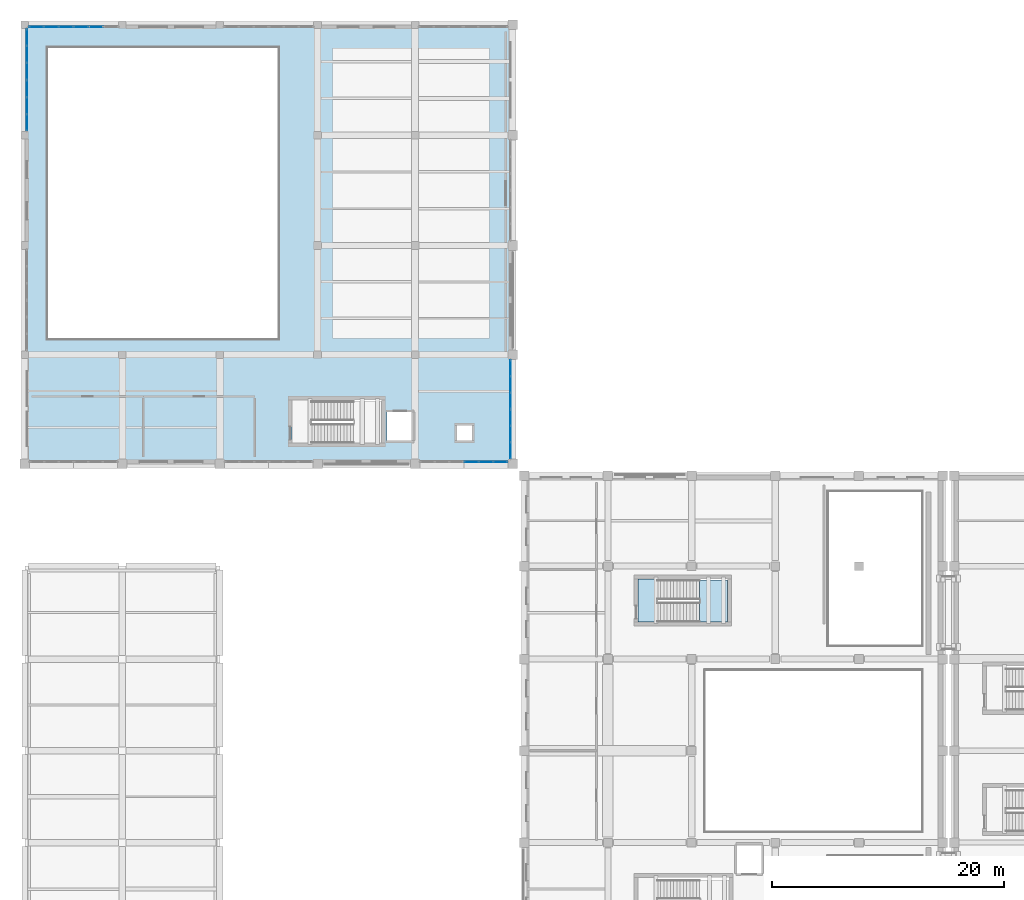
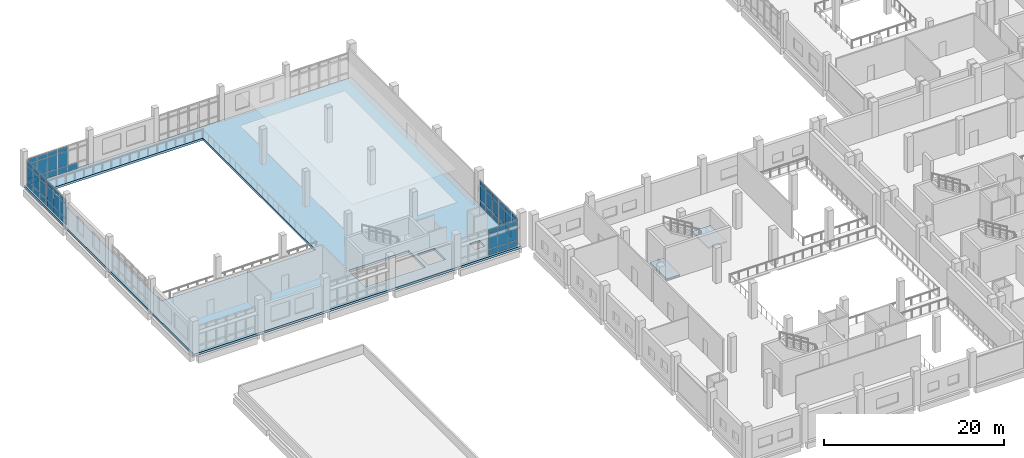
# One storey, part 42 of 73: 58 plates, 3 slabs, 8 elements without a shape of their own.
"""IFC4 building model written with IfcOpenShell, lengths in metres."""

from ifc_helpers import new_model, si_unit, direction, frame, origin, origin_2d, place, context, subcontext, project, spatial, polyline, rectangle, outline, extrude, material, layer, layer_set, type_object, element, aggregate, save


model = new_model("IFC4")

# Units and contexts
model_context = context("Model", 3, precision=1e-05, world=origin(), true_north=direction((0.0, 1.0)))
body_context = subcontext(model_context, "Body", "Model", "MODEL_VIEW")
ifc_project = project(units=[si_unit("LENGTHUNIT", "METRE"), si_unit("AREAUNIT", "SQUARE_METRE"), si_unit("VOLUMEUNIT", "CUBIC_METRE"), si_unit("PLANEANGLEUNIT", "RADIAN"), si_unit("MASSUNIT", "GRAM", prefix="KILO")], contexts=[model_context])

# Site, building, storey
site_placement = place(None, origin())
site = spatial("IfcSite", under=ifc_project, at=site_placement, CompositionType="ELEMENT")
building_placement = place(site_placement, origin())
building = spatial("IfcBuilding", under=site, at=building_placement, Name="Kelarvand Opera House", CompositionType="ELEMENT")
storey_placement = place(building_placement, frame((0.0, 0.0, 10.199951171875)))
storey = spatial("IfcBuildingStorey", under=building, at=storey_placement, Name="L02", CompositionType="ELEMENT", Elevation=10.199951171875)

# Slab
ifc_material_1 = material(Name="Concrete C35/45", Category="concrete")
ifc_layer_1 = layer(ifc_material_1, 0.219970703125, Name="Concrete C35/45", Category="concrete")
ifc_layer_set_1 = layer_set([ifc_layer_1], Name="Concrete C35/45")
slab_type_1 = type_object("IfcSlabType", Name="Core Stair Entry Landing Slab 220", PredefinedType="LANDING", material=ifc_layer_set_1)
slab_1_placement = place(storey_placement, frame((0.0, 0.0, -0.219970703125)))
element("IfcSlab", 1, at=slab_1_placement, inside=storey, type_object=slab_type_1, Name="C3 Stair Entry Landing L02", PredefinedType="LANDING", context=body_context, shape_type="SweptSolid", body=[
    extrude(outline(polyline([(61.800048828125, 73.60009765625), (63.52001953125, 73.60009765625), (63.52001953125, 77.300048828125), (61.800048828125, 77.300048828125), (61.800048828125, 73.60009765625)])), origin(), (0.0, 0.0, 1.0), 0.219970703125),
])

# Curtain wall, plates
ifc_material_2 = material(Name="Thermally broken aluminium and low-E glazing", Category="aluminium")
ifc_layer_2 = layer(ifc_material_2, 0.179931640625, Name="Thermally broken aluminium and low-E glazing", Category="aluminium")
ifc_layer_set_2 = layer_set([ifc_layer_2], Name="Thermally broken aluminium and low-E glazing")
curtain_wall_type_1 = type_object("IfcCurtainWallType", Name="Unitised Low-E Curtain Wall 4276x3600 Mod 1350 CWF-16", PredefinedType="USERDEFINED", material=ifc_layer_set_2)
curtain_wall_1_placement = place(storey_placement, origin())
curtain_wall_1 = element("IfcCurtainWall", 2, at=curtain_wall_1_placement, inside=storey, type_object=curtain_wall_type_1, Name="V3 L02 Curtain Wall CWF-16 (69)", ObjectType="UNITISED CURTAIN WALL", PredefinedType="USERDEFINED")
ifc_material_3 = material(Name="Low-E laminated double glazing", Category="glass")
ifc_layer_3 = layer(ifc_material_3, 0.031982421875, Name="Low-E laminated double glazing", Category="glass")
ifc_layer_set_3 = layer_set([ifc_layer_3], Name="Low-E laminated double glazing")
plate_type = type_object("IfcPlateType", Name="Low-E Argon Double Glazed Curtain Panel 32mm", PredefinedType="CURTAIN_PANEL", material=ifc_layer_set_3)
plate_1_placement = place(storey_placement, frame((50.820068359375, 95.451171875, 0.06494140625), z_axis=(0.0, 0.0, 1.0), x_axis=(0.0, -1.0, 0.0)))
plate_1 = element("IfcPlate", 3, at=plate_1_placement, type_object=plate_type, Name="CWF-16 panel 1.1", PredefinedType="CURTAIN_PANEL", context=body_context, shape_type="SweptSolid", body=[
    extrude(rectangle(XDim=1.327880859375, YDim=0.031982421875, at=origin_2d()), origin(), (0.0, 0.0, 1.0), 0.802490234375),
])
plate_2_placement = place(storey_placement, frame((50.820068359375, 95.451171875, 0.9326171875), z_axis=(0.0, 0.0, 1.0), x_axis=(0.0, -1.0, 0.0)))
plate_2 = element("IfcPlate", 4, at=plate_2_placement, type_object=plate_type, Name="CWF-16 panel 1.2", PredefinedType="CURTAIN_PANEL", context=body_context, shape_type="SweptSolid", body=[
    extrude(rectangle(XDim=1.327880859375, YDim=0.031982421875, at=origin_2d()), origin(), (0.0, 0.0, 1.0), 1.93505859375),
])
plate_3_placement = place(storey_placement, frame((50.820068359375, 95.451171875, 2.9326171875), z_axis=(0.0, 0.0, 1.0), x_axis=(0.0, -1.0, 0.0)))
plate_3 = element("IfcPlate", 5, at=plate_3_placement, type_object=plate_type, Name="CWF-16 panel 1.3", PredefinedType="CURTAIN_PANEL", context=body_context, shape_type="SweptSolid", body=[
    extrude(rectangle(XDim=1.327880859375, YDim=0.031982421875, at=origin_2d()), origin(), (0.0, 0.0, 1.0), 0.6025390625),
])
plate_4_placement = place(storey_placement, frame((50.820068359375, 94.0419921875, 0.06494140625), z_axis=(0.0, 0.0, 1.0), x_axis=(0.0, -1.0, 0.0)))
plate_4 = element("IfcPlate", 6, at=plate_4_placement, type_object=plate_type, Name="CWF-16 panel 2.1", PredefinedType="CURTAIN_PANEL", context=body_context, shape_type="SweptSolid", body=[
    extrude(rectangle(XDim=1.3603515625, YDim=0.031982421875, at=origin_2d()), origin(), (0.0, 0.0, 1.0), 0.802490234375),
])
plate_5_placement = place(storey_placement, frame((50.820068359375, 94.0419921875, 0.9326171875), z_axis=(0.0, 0.0, 1.0), x_axis=(0.0, -1.0, 0.0)))
plate_5 = element("IfcPlate", 7, at=plate_5_placement, type_object=plate_type, Name="CWF-16 panel 2.2", PredefinedType="CURTAIN_PANEL", context=body_context, shape_type="SweptSolid", body=[
    extrude(rectangle(XDim=1.3603515625, YDim=0.031982421875, at=origin_2d()), origin(), (0.0, 0.0, 1.0), 1.93505859375),
])
plate_6_placement = place(storey_placement, frame((50.820068359375, 94.0419921875, 2.9326171875), z_axis=(0.0, 0.0, 1.0), x_axis=(0.0, -1.0, 0.0)))
plate_6 = element("IfcPlate", 8, at=plate_6_placement, type_object=plate_type, Name="CWF-16 panel 2.3", PredefinedType="CURTAIN_PANEL", context=body_context, shape_type="SweptSolid", body=[
    extrude(rectangle(XDim=1.3603515625, YDim=0.031982421875, at=origin_2d()), origin(), (0.0, 0.0, 1.0), 0.6025390625),
])
plate_7_placement = place(storey_placement, frame((50.820068359375, 92.6328125, 0.06494140625), z_axis=(0.0, 0.0, 1.0), x_axis=(0.0, -1.0, 0.0)))
plate_7 = element("IfcPlate", 9, at=plate_7_placement, type_object=plate_type, Name="CWF-16 panel 3.1", PredefinedType="CURTAIN_PANEL", context=body_context, shape_type="SweptSolid", body=[
    extrude(rectangle(XDim=1.327880859375, YDim=0.031982421875, at=origin_2d()), origin(), (0.0, 0.0, 1.0), 0.802490234375),
])
plate_8_placement = place(storey_placement, frame((50.820068359375, 92.6328125, 0.9326171875), z_axis=(0.0, 0.0, 1.0), x_axis=(0.0, -1.0, 0.0)))
plate_8 = element("IfcPlate", 10, at=plate_8_placement, type_object=plate_type, Name="CWF-16 panel 3.2", PredefinedType="CURTAIN_PANEL", context=body_context, shape_type="SweptSolid", body=[
    extrude(rectangle(XDim=1.327880859375, YDim=0.031982421875, at=origin_2d()), origin(), (0.0, 0.0, 1.0), 1.93505859375),
])
plate_9_placement = place(storey_placement, frame((50.820068359375, 92.6328125, 2.9326171875), z_axis=(0.0, 0.0, 1.0), x_axis=(0.0, -1.0, 0.0)))
plate_9 = element("IfcPlate", 11, at=plate_9_placement, type_object=plate_type, Name="CWF-16 panel 3.3", PredefinedType="CURTAIN_PANEL", context=body_context, shape_type="SweptSolid", body=[
    extrude(rectangle(XDim=1.327880859375, YDim=0.031982421875, at=origin_2d()), origin(), (0.0, 0.0, 1.0), 0.6025390625),
])
aggregate(curtain_wall_1, [plate_1, plate_2, plate_3, plate_4, plate_5, plate_6, plate_7, plate_8, plate_9])

curtain_wall_2_placement = place(storey_placement, origin())
curtain_wall_2 = element("IfcCurtainWall", 12, at=curtain_wall_2_placement, inside=storey, type_object=curtain_wall_type_1, Name="V3 L02 Curtain Wall CWF-16 (70)", ObjectType="UNITISED CURTAIN WALL", PredefinedType="USERDEFINED")
plate_10_placement = place(storey_placement, frame((50.820068359375, 91.17041015625, 0.06494140625), z_axis=(0.0, 0.0, 1.0), x_axis=(0.0, -1.0, 0.0)))
plate_10 = element("IfcPlate", 13, at=plate_10_placement, type_object=plate_type, Name="CWF-16 panel 1.1", PredefinedType="CURTAIN_PANEL", context=body_context, shape_type="SweptSolid", body=[
    extrude(rectangle(XDim=1.3291015625, YDim=0.031982421875, at=origin_2d()), origin(), (0.0, 0.0, 1.0), 0.802490234375),
])
plate_11_placement = place(storey_placement, frame((50.820068359375, 91.17041015625, 0.9326171875), z_axis=(0.0, 0.0, 1.0), x_axis=(0.0, -1.0, 0.0)))
plate_11 = element("IfcPlate", 14, at=plate_11_placement, type_object=plate_type, Name="CWF-16 panel 1.2", PredefinedType="CURTAIN_PANEL", context=body_context, shape_type="SweptSolid", body=[
    extrude(rectangle(XDim=1.3291015625, YDim=0.031982421875, at=origin_2d()), origin(), (0.0, 0.0, 1.0), 1.93505859375),
])
plate_12_placement = place(storey_placement, frame((50.820068359375, 91.17041015625, 2.9326171875), z_axis=(0.0, 0.0, 1.0), x_axis=(0.0, -1.0, 0.0)))
plate_12 = element("IfcPlate", 15, at=plate_12_placement, type_object=plate_type, Name="CWF-16 panel 1.3", PredefinedType="CURTAIN_PANEL", context=body_context, shape_type="SweptSolid", body=[
    extrude(rectangle(XDim=1.3291015625, YDim=0.031982421875, at=origin_2d()), origin(), (0.0, 0.0, 1.0), 0.6025390625),
])
plate_13_placement = place(storey_placement, frame((50.820068359375, 89.760009765625, 0.06494140625), z_axis=(0.0, 0.0, 1.0), x_axis=(0.0, -1.0, 0.0)))
plate_13 = element("IfcPlate", 16, at=plate_13_placement, type_object=plate_type, Name="CWF-16 panel 2.1", PredefinedType="CURTAIN_PANEL", context=body_context, shape_type="SweptSolid", body=[
    extrude(rectangle(XDim=1.361572265625, YDim=0.031982421875, at=origin_2d()), origin(), (0.0, 0.0, 1.0), 0.802490234375),
])
plate_14_placement = place(storey_placement, frame((50.820068359375, 89.760009765625, 0.9326171875), z_axis=(0.0, 0.0, 1.0), x_axis=(0.0, -1.0, 0.0)))
plate_14 = element("IfcPlate", 17, at=plate_14_placement, type_object=plate_type, Name="CWF-16 panel 2.2", PredefinedType="CURTAIN_PANEL", context=body_context, shape_type="SweptSolid", body=[
    extrude(rectangle(XDim=1.361572265625, YDim=0.031982421875, at=origin_2d()), origin(), (0.0, 0.0, 1.0), 1.93505859375),
])
plate_15_placement = place(storey_placement, frame((50.820068359375, 89.760009765625, 2.9326171875), z_axis=(0.0, 0.0, 1.0), x_axis=(0.0, -1.0, 0.0)))
plate_15 = element("IfcPlate", 18, at=plate_15_placement, type_object=plate_type, Name="CWF-16 panel 2.3", PredefinedType="CURTAIN_PANEL", context=body_context, shape_type="SweptSolid", body=[
    extrude(rectangle(XDim=1.361572265625, YDim=0.031982421875, at=origin_2d()), origin(), (0.0, 0.0, 1.0), 0.6025390625),
])
plate_16_placement = place(storey_placement, frame((50.820068359375, 88.349609375, 0.06494140625), z_axis=(0.0, 0.0, 1.0), x_axis=(0.0, -1.0, 0.0)))
plate_16 = element("IfcPlate", 19, at=plate_16_placement, type_object=plate_type, Name="CWF-16 panel 3.1", PredefinedType="CURTAIN_PANEL", context=body_context, shape_type="SweptSolid", body=[
    extrude(rectangle(XDim=1.3291015625, YDim=0.031982421875, at=origin_2d()), origin(), (0.0, 0.0, 1.0), 0.802490234375),
])
plate_17_placement = place(storey_placement, frame((50.820068359375, 88.349609375, 0.9326171875), z_axis=(0.0, 0.0, 1.0), x_axis=(0.0, -1.0, 0.0)))
plate_17 = element("IfcPlate", 20, at=plate_17_placement, type_object=plate_type, Name="CWF-16 panel 3.2", PredefinedType="CURTAIN_PANEL", context=body_context, shape_type="SweptSolid", body=[
    extrude(rectangle(XDim=1.3291015625, YDim=0.031982421875, at=origin_2d()), origin(), (0.0, 0.0, 1.0), 1.93505859375),
])
plate_18_placement = place(storey_placement, frame((50.820068359375, 88.349609375, 2.9326171875), z_axis=(0.0, 0.0, 1.0), x_axis=(0.0, -1.0, 0.0)))
plate_18 = element("IfcPlate", 21, at=plate_18_placement, type_object=plate_type, Name="CWF-16 panel 3.3", PredefinedType="CURTAIN_PANEL", context=body_context, shape_type="SweptSolid", body=[
    extrude(rectangle(XDim=1.3291015625, YDim=0.031982421875, at=origin_2d()), origin(), (0.0, 0.0, 1.0), 0.6025390625),
])
aggregate(curtain_wall_2, [plate_10, plate_11, plate_12, plate_13, plate_14, plate_15, plate_16, plate_17, plate_18])

ifc_layer_4 = layer(ifc_material_2, 0.179931640625, Name="Thermally broken aluminium and low-E glazing", Category="aluminium")
ifc_layer_set_4 = layer_set([ifc_layer_4], Name="Thermally broken aluminium and low-E glazing")
curtain_wall_type_2 = type_object("IfcCurtainWallType", Name="Unitised Low-E Curtain Wall 3861x3600 Mod 1350 CWF-17", PredefinedType="USERDEFINED", material=ifc_layer_set_4)
curtain_wall_3_placement = place(storey_placement, origin())
curtain_wall_3 = element("IfcCurtainWall", 22, at=curtain_wall_3_placement, inside=storey, type_object=curtain_wall_type_2, Name="V3 L02 Curtain Wall CWF-17 (71)", ObjectType="UNITISED CURTAIN WALL", PredefinedType="USERDEFINED")
plate_19_placement = place(storey_placement, frame((9.99462890625, 124.820068359375, 0.06494140625), z_axis=(0.0, 0.0, 1.0), x_axis=(1.0, 0.0, 0.0)))
plate_19 = element("IfcPlate", 23, at=plate_19_placement, type_object=plate_type, Name="CWF-17 panel 1.1", PredefinedType="CURTAIN_PANEL", context=body_context, shape_type="SweptSolid", body=[
    extrude(rectangle(XDim=1.189453125, YDim=0.031982421875, at=origin_2d()), origin(), (0.0, 0.0, 1.0), 0.802490234375),
])
plate_20_placement = place(storey_placement, frame((9.99462890625, 124.820068359375, 0.9326171875), z_axis=(0.0, 0.0, 1.0), x_axis=(1.0, 0.0, 0.0)))
plate_20 = element("IfcPlate", 24, at=plate_20_placement, type_object=plate_type, Name="CWF-17 panel 1.2", PredefinedType="CURTAIN_PANEL", context=body_context, shape_type="SweptSolid", body=[
    extrude(rectangle(XDim=1.189453125, YDim=0.031982421875, at=origin_2d()), origin(), (0.0, 0.0, 1.0), 1.93505859375),
])
plate_21_placement = place(storey_placement, frame((9.99462890625, 124.820068359375, 2.9326171875), z_axis=(0.0, 0.0, 1.0), x_axis=(1.0, 0.0, 0.0)))
plate_21 = element("IfcPlate", 25, at=plate_21_placement, type_object=plate_type, Name="CWF-17 panel 1.3", PredefinedType="CURTAIN_PANEL", context=body_context, shape_type="SweptSolid", body=[
    extrude(rectangle(XDim=1.189453125, YDim=0.031982421875, at=origin_2d()), origin(), (0.0, 0.0, 1.0), 0.6025390625),
])
plate_22_placement = place(storey_placement, frame((11.265380859375, 124.820068359375, 0.06494140625), z_axis=(0.0, 0.0, 1.0), x_axis=(1.0, 0.0, 0.0)))
plate_22 = element("IfcPlate", 26, at=plate_22_placement, type_object=plate_type, Name="CWF-17 panel 2.1", PredefinedType="CURTAIN_PANEL", context=body_context, shape_type="SweptSolid", body=[
    extrude(rectangle(XDim=1.221923828125, YDim=0.031982421875, at=origin_2d()), origin(), (0.0, 0.0, 1.0), 0.802490234375),
])
plate_23_placement = place(storey_placement, frame((11.265380859375, 124.820068359375, 0.9326171875), z_axis=(0.0, 0.0, 1.0), x_axis=(1.0, 0.0, 0.0)))
plate_23 = element("IfcPlate", 27, at=plate_23_placement, type_object=plate_type, Name="CWF-17 panel 2.2", PredefinedType="CURTAIN_PANEL", context=body_context, shape_type="SweptSolid", body=[
    extrude(rectangle(XDim=1.221923828125, YDim=0.031982421875, at=origin_2d()), origin(), (0.0, 0.0, 1.0), 1.93505859375),
])
plate_24_placement = place(storey_placement, frame((11.265380859375, 124.820068359375, 2.9326171875), z_axis=(0.0, 0.0, 1.0), x_axis=(1.0, 0.0, 0.0)))
plate_24 = element("IfcPlate", 28, at=plate_24_placement, type_object=plate_type, Name="CWF-17 panel 2.3", PredefinedType="CURTAIN_PANEL", context=body_context, shape_type="SweptSolid", body=[
    extrude(rectangle(XDim=1.221923828125, YDim=0.031982421875, at=origin_2d()), origin(), (0.0, 0.0, 1.0), 0.6025390625),
])
plate_25_placement = place(storey_placement, frame((12.5361328125, 124.820068359375, 0.06494140625), z_axis=(0.0, 0.0, 1.0), x_axis=(1.0, 0.0, 0.0)))
plate_25 = element("IfcPlate", 29, at=plate_25_placement, type_object=plate_type, Name="CWF-17 panel 3.1", PredefinedType="CURTAIN_PANEL", context=body_context, shape_type="SweptSolid", body=[
    extrude(rectangle(XDim=1.189453125, YDim=0.031982421875, at=origin_2d()), origin(), (0.0, 0.0, 1.0), 0.802490234375),
])
plate_26_placement = place(storey_placement, frame((12.5361328125, 124.820068359375, 0.9326171875), z_axis=(0.0, 0.0, 1.0), x_axis=(1.0, 0.0, 0.0)))
plate_26 = element("IfcPlate", 30, at=plate_26_placement, type_object=plate_type, Name="CWF-17 panel 3.2", PredefinedType="CURTAIN_PANEL", context=body_context, shape_type="SweptSolid", body=[
    extrude(rectangle(XDim=1.189453125, YDim=0.031982421875, at=origin_2d()), origin(), (0.0, 0.0, 1.0), 1.93505859375),
])
plate_27_placement = place(storey_placement, frame((12.5361328125, 124.820068359375, 2.9326171875), z_axis=(0.0, 0.0, 1.0), x_axis=(1.0, 0.0, 0.0)))
plate_27 = element("IfcPlate", 31, at=plate_27_placement, type_object=plate_type, Name="CWF-17 panel 3.3", PredefinedType="CURTAIN_PANEL", context=body_context, shape_type="SweptSolid", body=[
    extrude(rectangle(XDim=1.189453125, YDim=0.031982421875, at=origin_2d()), origin(), (0.0, 0.0, 1.0), 0.6025390625),
])
aggregate(curtain_wall_3, [plate_19, plate_20, plate_21, plate_22, plate_23, plate_24, plate_25, plate_26, plate_27])

curtain_wall_4_placement = place(storey_placement, origin())
curtain_wall_4 = element("IfcCurtainWall", 32, at=curtain_wall_4_placement, inside=storey, type_object=curtain_wall_type_2, Name="V3 L02 Curtain Wall CWF-17 (72)", ObjectType="UNITISED CURTAIN WALL", PredefinedType="USERDEFINED")
plate_28_placement = place(storey_placement, frame((13.8603515625, 124.820068359375, 0.06494140625), z_axis=(0.0, 0.0, 1.0), x_axis=(1.0, 0.0, 0.0)))
plate_28 = element("IfcPlate", 33, at=plate_28_placement, type_object=plate_type, Name="CWF-17 panel 1.1", PredefinedType="CURTAIN_PANEL", context=body_context, shape_type="SweptSolid", body=[
    extrude(rectangle(XDim=1.19091796875, YDim=0.031982421875, at=origin_2d()), origin(), (0.0, 0.0, 1.0), 0.802490234375),
])
plate_29_placement = place(storey_placement, frame((13.8603515625, 124.820068359375, 0.9326171875), z_axis=(0.0, 0.0, 1.0), x_axis=(1.0, 0.0, 0.0)))
plate_29 = element("IfcPlate", 34, at=plate_29_placement, type_object=plate_type, Name="CWF-17 panel 1.2", PredefinedType="CURTAIN_PANEL", context=body_context, shape_type="SweptSolid", body=[
    extrude(rectangle(XDim=1.19091796875, YDim=0.031982421875, at=origin_2d()), origin(), (0.0, 0.0, 1.0), 1.93505859375),
])
plate_30_placement = place(storey_placement, frame((13.8603515625, 124.820068359375, 2.9326171875), z_axis=(0.0, 0.0, 1.0), x_axis=(1.0, 0.0, 0.0)))
plate_30 = element("IfcPlate", 35, at=plate_30_placement, type_object=plate_type, Name="CWF-17 panel 1.3", PredefinedType="CURTAIN_PANEL", context=body_context, shape_type="SweptSolid", body=[
    extrude(rectangle(XDim=1.19091796875, YDim=0.031982421875, at=origin_2d()), origin(), (0.0, 0.0, 1.0), 0.6025390625),
])
plate_31_placement = place(storey_placement, frame((15.132568359375, 124.820068359375, 0.06494140625), z_axis=(0.0, 0.0, 1.0), x_axis=(1.0, 0.0, 0.0)))
plate_31 = element("IfcPlate", 36, at=plate_31_placement, type_object=plate_type, Name="CWF-17 panel 2.1", PredefinedType="CURTAIN_PANEL", context=body_context, shape_type="SweptSolid", body=[
    extrude(rectangle(XDim=1.223388671875, YDim=0.031982421875, at=origin_2d()), origin(), (0.0, 0.0, 1.0), 0.802490234375),
])
aggregate(curtain_wall_4, [plate_28, plate_29, plate_30, plate_31])

ifc_layer_5 = layer(ifc_material_2, 0.179931640625, Name="Thermally broken aluminium and low-E glazing", Category="aluminium")
ifc_layer_set_5 = layer_set([ifc_layer_5], Name="Thermally broken aluminium and low-E glazing")
curtain_wall_type_3 = type_object("IfcCurtainWallType", Name="Unitised Low-E Curtain Wall 4411x3600 Mod 1350 CWF-19", PredefinedType="USERDEFINED", material=ifc_layer_set_5)
curtain_wall_5_placement = place(storey_placement, origin())
curtain_wall_5 = element("IfcCurtainWall", 37, at=curtain_wall_5_placement, inside=storey, type_object=curtain_wall_type_3, Name="V3 L02 Curtain Wall CWF-19 (79)", ObjectType="UNITISED CURTAIN WALL", PredefinedType="USERDEFINED")
plate_32_placement = place(storey_placement, frame((9.179931640625, 116.58642578125, 0.06494140625), z_axis=(0.0, 0.0, 1.0), x_axis=(0.0, 1.0, 0.0)))
plate_32 = element("IfcPlate", 38, at=plate_32_placement, type_object=plate_type, Name="CWF-19 panel 1.1", PredefinedType="CURTAIN_PANEL", context=body_context, shape_type="SweptSolid", body=[
    extrude(rectangle(XDim=1.372802734375, YDim=0.031982421875, at=origin_2d()), origin(), (0.0, 0.0, 1.0), 0.802490234375),
])
plate_33_placement = place(storey_placement, frame((9.179931640625, 116.58642578125, 0.9326171875), z_axis=(0.0, 0.0, 1.0), x_axis=(0.0, 1.0, 0.0)))
plate_33 = element("IfcPlate", 39, at=plate_33_placement, type_object=plate_type, Name="CWF-19 panel 1.2", PredefinedType="CURTAIN_PANEL", context=body_context, shape_type="SweptSolid", body=[
    extrude(rectangle(XDim=1.372802734375, YDim=0.031982421875, at=origin_2d()), origin(), (0.0, 0.0, 1.0), 1.93505859375),
])
plate_34_placement = place(storey_placement, frame((9.179931640625, 116.58642578125, 2.9326171875), z_axis=(0.0, 0.0, 1.0), x_axis=(0.0, 1.0, 0.0)))
plate_34 = element("IfcPlate", 40, at=plate_34_placement, type_object=plate_type, Name="CWF-19 panel 1.3", PredefinedType="CURTAIN_PANEL", context=body_context, shape_type="SweptSolid", body=[
    extrude(rectangle(XDim=1.372802734375, YDim=0.031982421875, at=origin_2d()), origin(), (0.0, 0.0, 1.0), 0.6025390625),
])
plate_35_placement = place(storey_placement, frame((9.179931640625, 118.04052734375, 0.06494140625), z_axis=(0.0, 0.0, 1.0), x_axis=(0.0, 1.0, 0.0)))
plate_35 = element("IfcPlate", 41, at=plate_35_placement, type_object=plate_type, Name="CWF-19 panel 2.1", PredefinedType="CURTAIN_PANEL", context=body_context, shape_type="SweptSolid", body=[
    extrude(rectangle(XDim=1.4052734375, YDim=0.031982421875, at=origin_2d()), origin(), (0.0, 0.0, 1.0), 0.802490234375),
])
plate_36_placement = place(storey_placement, frame((9.179931640625, 118.04052734375, 0.9326171875), z_axis=(0.0, 0.0, 1.0), x_axis=(0.0, 1.0, 0.0)))
plate_36 = element("IfcPlate", 42, at=plate_36_placement, type_object=plate_type, Name="CWF-19 panel 2.2", PredefinedType="CURTAIN_PANEL", context=body_context, shape_type="SweptSolid", body=[
    extrude(rectangle(XDim=1.4052734375, YDim=0.031982421875, at=origin_2d()), origin(), (0.0, 0.0, 1.0), 1.93505859375),
])
plate_37_placement = place(storey_placement, frame((9.179931640625, 118.04052734375, 2.9326171875), z_axis=(0.0, 0.0, 1.0), x_axis=(0.0, 1.0, 0.0)))
plate_37 = element("IfcPlate", 43, at=plate_37_placement, type_object=plate_type, Name="CWF-19 panel 2.3", PredefinedType="CURTAIN_PANEL", context=body_context, shape_type="SweptSolid", body=[
    extrude(rectangle(XDim=1.4052734375, YDim=0.031982421875, at=origin_2d()), origin(), (0.0, 0.0, 1.0), 0.6025390625),
])
plate_38_placement = place(storey_placement, frame((9.179931640625, 119.49462890625, 0.06494140625), z_axis=(0.0, 0.0, 1.0), x_axis=(0.0, 1.0, 0.0)))
plate_38 = element("IfcPlate", 44, at=plate_38_placement, type_object=plate_type, Name="CWF-19 panel 3.1", PredefinedType="CURTAIN_PANEL", context=body_context, shape_type="SweptSolid", body=[
    extrude(rectangle(XDim=1.372802734375, YDim=0.031982421875, at=origin_2d()), origin(), (0.0, 0.0, 1.0), 0.802490234375),
])
plate_39_placement = place(storey_placement, frame((9.179931640625, 119.49462890625, 0.9326171875), z_axis=(0.0, 0.0, 1.0), x_axis=(0.0, 1.0, 0.0)))
plate_39 = element("IfcPlate", 45, at=plate_39_placement, type_object=plate_type, Name="CWF-19 panel 3.2", PredefinedType="CURTAIN_PANEL", context=body_context, shape_type="SweptSolid", body=[
    extrude(rectangle(XDim=1.372802734375, YDim=0.031982421875, at=origin_2d()), origin(), (0.0, 0.0, 1.0), 1.93505859375),
])
plate_40_placement = place(storey_placement, frame((9.179931640625, 119.49462890625, 2.9326171875), z_axis=(0.0, 0.0, 1.0), x_axis=(0.0, 1.0, 0.0)))
plate_40 = element("IfcPlate", 46, at=plate_40_placement, type_object=plate_type, Name="CWF-19 panel 3.3", PredefinedType="CURTAIN_PANEL", context=body_context, shape_type="SweptSolid", body=[
    extrude(rectangle(XDim=1.372802734375, YDim=0.031982421875, at=origin_2d()), origin(), (0.0, 0.0, 1.0), 0.6025390625),
])
aggregate(curtain_wall_5, [plate_32, plate_33, plate_34, plate_35, plate_36, plate_37, plate_38, plate_39, plate_40])

curtain_wall_6_placement = place(storey_placement, origin())
curtain_wall_6 = element("IfcCurtainWall", 47, at=curtain_wall_6_placement, inside=storey, type_object=curtain_wall_type_3, Name="V3 L02 Curtain Wall CWF-19 (80)", ObjectType="UNITISED CURTAIN WALL", PredefinedType="USERDEFINED")
plate_41_placement = place(storey_placement, frame((9.179931640625, 121.002197265625, 0.06494140625), z_axis=(0.0, 0.0, 1.0), x_axis=(0.0, 1.0, 0.0)))
plate_41 = element("IfcPlate", 48, at=plate_41_placement, type_object=plate_type, Name="CWF-19 panel 1.1", PredefinedType="CURTAIN_PANEL", context=body_context, shape_type="SweptSolid", body=[
    extrude(rectangle(XDim=1.374267578125, YDim=0.031982421875, at=origin_2d()), origin(), (0.0, 0.0, 1.0), 0.802490234375),
])
plate_42_placement = place(storey_placement, frame((9.179931640625, 121.002197265625, 0.9326171875), z_axis=(0.0, 0.0, 1.0), x_axis=(0.0, 1.0, 0.0)))
plate_42 = element("IfcPlate", 49, at=plate_42_placement, type_object=plate_type, Name="CWF-19 panel 1.2", PredefinedType="CURTAIN_PANEL", context=body_context, shape_type="SweptSolid", body=[
    extrude(rectangle(XDim=1.374267578125, YDim=0.031982421875, at=origin_2d()), origin(), (0.0, 0.0, 1.0), 1.93505859375),
])
plate_43_placement = place(storey_placement, frame((9.179931640625, 121.002197265625, 2.9326171875), z_axis=(0.0, 0.0, 1.0), x_axis=(0.0, 1.0, 0.0)))
plate_43 = element("IfcPlate", 50, at=plate_43_placement, type_object=plate_type, Name="CWF-19 panel 1.3", PredefinedType="CURTAIN_PANEL", context=body_context, shape_type="SweptSolid", body=[
    extrude(rectangle(XDim=1.374267578125, YDim=0.031982421875, at=origin_2d()), origin(), (0.0, 0.0, 1.0), 0.6025390625),
])
plate_44_placement = place(storey_placement, frame((9.179931640625, 122.45751953125, 0.06494140625), z_axis=(0.0, 0.0, 1.0), x_axis=(0.0, 1.0, 0.0)))
plate_44 = element("IfcPlate", 51, at=plate_44_placement, type_object=plate_type, Name="CWF-19 panel 2.1", PredefinedType="CURTAIN_PANEL", context=body_context, shape_type="SweptSolid", body=[
    extrude(rectangle(XDim=1.40673828125, YDim=0.031982421875, at=origin_2d()), origin(), (0.0, 0.0, 1.0), 0.802490234375),
])
plate_45_placement = place(storey_placement, frame((9.179931640625, 122.45751953125, 0.9326171875), z_axis=(0.0, 0.0, 1.0), x_axis=(0.0, 1.0, 0.0)))
plate_45 = element("IfcPlate", 52, at=plate_45_placement, type_object=plate_type, Name="CWF-19 panel 2.2", PredefinedType="CURTAIN_PANEL", context=body_context, shape_type="SweptSolid", body=[
    extrude(rectangle(XDim=1.40673828125, YDim=0.031982421875, at=origin_2d()), origin(), (0.0, 0.0, 1.0), 1.93505859375),
])
plate_46_placement = place(storey_placement, frame((9.179931640625, 122.45751953125, 2.9326171875), z_axis=(0.0, 0.0, 1.0), x_axis=(0.0, 1.0, 0.0)))
plate_46 = element("IfcPlate", 53, at=plate_46_placement, type_object=plate_type, Name="CWF-19 panel 2.3", PredefinedType="CURTAIN_PANEL", context=body_context, shape_type="SweptSolid", body=[
    extrude(rectangle(XDim=1.40673828125, YDim=0.031982421875, at=origin_2d()), origin(), (0.0, 0.0, 1.0), 0.6025390625),
])
plate_47_placement = place(storey_placement, frame((9.179931640625, 123.912841796875, 0.06494140625), z_axis=(0.0, 0.0, 1.0), x_axis=(0.0, 1.0, 0.0)))
plate_47 = element("IfcPlate", 54, at=plate_47_placement, type_object=plate_type, Name="CWF-19 panel 3.1", PredefinedType="CURTAIN_PANEL", context=body_context, shape_type="SweptSolid", body=[
    extrude(rectangle(XDim=1.374267578125, YDim=0.031982421875, at=origin_2d()), origin(), (0.0, 0.0, 1.0), 0.802490234375),
])
plate_48_placement = place(storey_placement, frame((9.179931640625, 123.912841796875, 0.9326171875), z_axis=(0.0, 0.0, 1.0), x_axis=(0.0, 1.0, 0.0)))
plate_48 = element("IfcPlate", 55, at=plate_48_placement, type_object=plate_type, Name="CWF-19 panel 3.2", PredefinedType="CURTAIN_PANEL", context=body_context, shape_type="SweptSolid", body=[
    extrude(rectangle(XDim=1.374267578125, YDim=0.031982421875, at=origin_2d()), origin(), (0.0, 0.0, 1.0), 1.93505859375),
])
plate_49_placement = place(storey_placement, frame((9.179931640625, 123.912841796875, 2.9326171875), z_axis=(0.0, 0.0, 1.0), x_axis=(0.0, 1.0, 0.0)))
plate_49 = element("IfcPlate", 56, at=plate_49_placement, type_object=plate_type, Name="CWF-19 panel 3.3", PredefinedType="CURTAIN_PANEL", context=body_context, shape_type="SweptSolid", body=[
    extrude(rectangle(XDim=1.374267578125, YDim=0.031982421875, at=origin_2d()), origin(), (0.0, 0.0, 1.0), 0.6025390625),
])
aggregate(curtain_wall_6, [plate_41, plate_42, plate_43, plate_44, plate_45, plate_46, plate_47, plate_48, plate_49])

ifc_layer_6 = layer(ifc_material_2, 0.179931640625, Name="Thermally broken aluminium and low-E glazing", Category="aluminium")
ifc_layer_set_6 = layer_set([ifc_layer_6], Name="Thermally broken aluminium and low-E glazing")
curtain_wall_type_4 = type_object("IfcCurtainWallType", Name="Unitised Low-E Curtain Wall 3818x3600 Mod 1350 CWF-18", PredefinedType="USERDEFINED", material=ifc_layer_set_6)
curtain_wall_7_placement = place(storey_placement, origin())
curtain_wall_7 = element("IfcCurtainWall", 57, at=curtain_wall_7_placement, inside=storey, type_object=curtain_wall_type_4, Name="V3 L02 Curtain Wall CWF-18 (81)", ObjectType="UNITISED CURTAIN WALL", PredefinedType="USERDEFINED")
plate_50_placement = place(storey_placement, frame((49.934326171875, 87.3798828125, 0.06494140625), z_axis=(0.0, 0.0, 1.0), x_axis=(-1.0, 0.0, 0.0)))
plate_50 = element("IfcPlate", 58, at=plate_50_placement, type_object=plate_type, Name="CWF-18 panel 1.1", PredefinedType="CURTAIN_PANEL", context=body_context, shape_type="SweptSolid", body=[
    extrude(rectangle(XDim=1.1611328125, YDim=0.031982421875, at=origin_2d()), origin(), (0.0, 0.0, 1.0), 0.802490234375),
])
plate_51_placement = place(storey_placement, frame((49.934326171875, 87.3798828125, 0.9326171875), z_axis=(0.0, 0.0, 1.0), x_axis=(-1.0, 0.0, 0.0)))
plate_51 = element("IfcPlate", 59, at=plate_51_placement, type_object=plate_type, Name="CWF-18 panel 1.2", PredefinedType="CURTAIN_PANEL", context=body_context, shape_type="SweptSolid", body=[
    extrude(rectangle(XDim=1.1611328125, YDim=0.031982421875, at=origin_2d()), origin(), (0.0, 0.0, 1.0), 1.93505859375),
])
plate_52_placement = place(storey_placement, frame((49.934326171875, 87.3798828125, 2.9326171875), z_axis=(0.0, 0.0, 1.0), x_axis=(-1.0, 0.0, 0.0)))
plate_52 = element("IfcPlate", 60, at=plate_52_placement, type_object=plate_type, Name="CWF-18 panel 1.3", PredefinedType="CURTAIN_PANEL", context=body_context, shape_type="SweptSolid", body=[
    extrude(rectangle(XDim=1.1611328125, YDim=0.031982421875, at=origin_2d()), origin(), (0.0, 0.0, 1.0), 0.6025390625),
])
plate_53_placement = place(storey_placement, frame((48.69189453125, 87.3798828125, 0.06494140625), z_axis=(0.0, 0.0, 1.0), x_axis=(-1.0, 0.0, 0.0)))
plate_53 = element("IfcPlate", 61, at=plate_53_placement, type_object=plate_type, Name="CWF-18 panel 2.1", PredefinedType="CURTAIN_PANEL", context=body_context, shape_type="SweptSolid", body=[
    extrude(rectangle(XDim=1.193603515625, YDim=0.031982421875, at=origin_2d()), origin(), (0.0, 0.0, 1.0), 0.802490234375),
])
plate_54_placement = place(storey_placement, frame((48.69189453125, 87.3798828125, 0.9326171875), z_axis=(0.0, 0.0, 1.0), x_axis=(-1.0, 0.0, 0.0)))
plate_54 = element("IfcPlate", 62, at=plate_54_placement, type_object=plate_type, Name="CWF-18 panel 2.2", PredefinedType="CURTAIN_PANEL", context=body_context, shape_type="SweptSolid", body=[
    extrude(rectangle(XDim=1.193603515625, YDim=0.031982421875, at=origin_2d()), origin(), (0.0, 0.0, 1.0), 1.93505859375),
])
plate_55_placement = place(storey_placement, frame((48.69189453125, 87.3798828125, 2.9326171875), z_axis=(0.0, 0.0, 1.0), x_axis=(-1.0, 0.0, 0.0)))
plate_55 = element("IfcPlate", 63, at=plate_55_placement, type_object=plate_type, Name="CWF-18 panel 2.3", PredefinedType="CURTAIN_PANEL", context=body_context, shape_type="SweptSolid", body=[
    extrude(rectangle(XDim=1.193603515625, YDim=0.031982421875, at=origin_2d()), origin(), (0.0, 0.0, 1.0), 0.6025390625),
])
plate_56_placement = place(storey_placement, frame((47.449462890625, 87.3798828125, 0.06494140625), z_axis=(0.0, 0.0, 1.0), x_axis=(-1.0, 0.0, 0.0)))
plate_56 = element("IfcPlate", 64, at=plate_56_placement, type_object=plate_type, Name="CWF-18 panel 3.1", PredefinedType="CURTAIN_PANEL", context=body_context, shape_type="SweptSolid", body=[
    extrude(rectangle(XDim=1.1611328125, YDim=0.031982421875, at=origin_2d()), origin(), (0.0, 0.0, 1.0), 0.802490234375),
])
plate_57_placement = place(storey_placement, frame((47.449462890625, 87.3798828125, 0.9326171875), z_axis=(0.0, 0.0, 1.0), x_axis=(-1.0, 0.0, 0.0)))
plate_57 = element("IfcPlate", 65, at=plate_57_placement, type_object=plate_type, Name="CWF-18 panel 3.2", PredefinedType="CURTAIN_PANEL", context=body_context, shape_type="SweptSolid", body=[
    extrude(rectangle(XDim=1.1611328125, YDim=0.031982421875, at=origin_2d()), origin(), (0.0, 0.0, 1.0), 1.93505859375),
])
plate_58_placement = place(storey_placement, frame((47.449462890625, 87.3798828125, 2.9326171875), z_axis=(0.0, 0.0, 1.0), x_axis=(-1.0, 0.0, 0.0)))
plate_58 = element("IfcPlate", 66, at=plate_58_placement, type_object=plate_type, Name="CWF-18 panel 3.3", PredefinedType="CURTAIN_PANEL", context=body_context, shape_type="SweptSolid", body=[
    extrude(rectangle(XDim=1.1611328125, YDim=0.031982421875, at=origin_2d()), origin(), (0.0, 0.0, 1.0), 0.6025390625),
])
aggregate(curtain_wall_7, [plate_50, plate_51, plate_52, plate_53, plate_54, plate_55, plate_56, plate_57, plate_58])

# Stair, slab
stair_type = type_object("IfcStairType", Name="Dogleg Concrete Exit Stair 1660mm 28R STA-01", PredefinedType="HALF_TURN_STAIR", material=ifc_material_1)
stair_placement = place(storey_placement, origin())
stair = element("IfcStair", 67, at=stair_placement, inside=storey, type_object=stair_type, Name="L02 Fly Tower North Technical Core C3 Stair ST-03", PredefinedType="HALF_TURN_STAIR")
ifc_layer_7 = layer(ifc_material_1, 0.199951171875, Name="Concrete C35/45", Category="concrete")
ifc_layer_set_7 = layer_set([ifc_layer_7], Name="Concrete C35/45")
slab_type_2 = type_object("IfcSlabType", Name="Precast Stair Half-Landing Slab 200", PredefinedType="LANDING", material=ifc_layer_set_7)
slab_2_placement = place(storey_placement, frame((0.0, 0.0, 2.199951171875)))
slab_2 = element("IfcSlab", 68, at=slab_2_placement, type_object=slab_type_2, Name="ST-03 landing 1", PredefinedType="LANDING", context=body_context, shape_type="SweptSolid", body=[
    extrude(outline(polyline([(67.10009765625, 73.60009765625), (69.5, 73.60009765625), (69.5, 77.199951171875), (67.10009765625, 77.199951171875), (67.10009765625, 73.60009765625)])), origin(), (0.0, 0.0, 1.0), 0.2001953125),
])
aggregate(stair, [slab_2])

# Slab
ifc_layer_8 = layer(ifc_material_1, 0.300048828125, Name="Concrete C35/45", Category="concrete")
ifc_layer_set_8 = layer_set([ifc_layer_8], Name="Concrete C35/45")
slab_type_3 = type_object("IfcSlabType", Name="Suspended Floor Slab 300", PredefinedType="FLOOR", material=ifc_layer_set_8)
slab_3_placement = place(storey_placement, frame((0.0, 0.0, -0.300048828125)))
element("IfcSlab", 69, at=slab_3_placement, inside=storey, type_object=slab_type_3, Name="V3 L02 Structural Slab 22", PredefinedType="FLOOR", context=body_context, shape_type="SweptSolid", body=[
    extrude(outline(polyline([(51.0, 87.199951171875), (51.0, 125.0), (9.0, 125.0), (9.0, 87.199951171875), (51.0, 87.199951171875)]), holes=[polyline([(46.199951171875, 90.5), (47.5, 90.5), (47.5, 89.199951171875), (46.199951171875, 89.199951171875), (46.199951171875, 90.5)]), polyline([(40.199951171875, 91.64990234375), (42.39990234375, 91.64990234375), (42.39990234375, 89.199951171875), (40.199951171875, 89.199951171875), (40.199951171875, 91.64990234375)]), polyline([(32.0, 92.699951171875), (39.699951171875, 92.699951171875), (39.699951171875, 89.0), (32.0, 89.0), (32.0, 92.699951171875)]), polyline([(11.0, 123.0), (30.800048828125, 123.0), (30.800048828125, 98.0), (11.0, 98.0), (11.0, 123.0)])]), origin(), (0.0, 0.0, 1.0), 0.300048828125),
])

save(model, "model.ifc")
